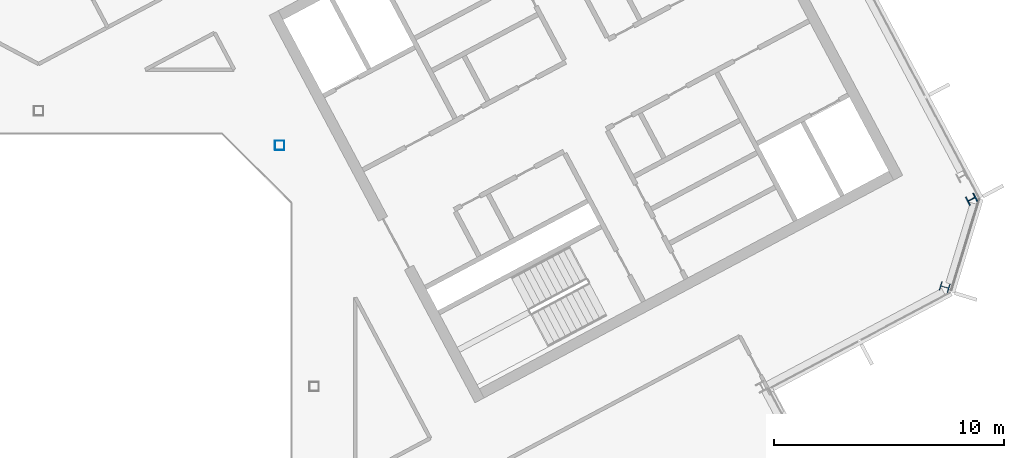
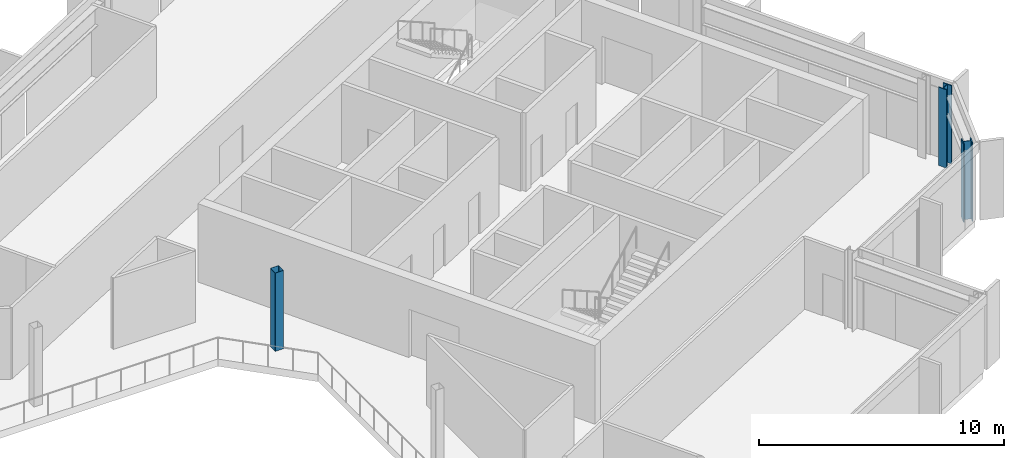
# One storey, part 6 of 26: 3 columns.
"""IFC4 building model written with IfcOpenShell, lengths in metres."""

from ifc_helpers import new_model, si_unit, direction, frame, origin, origin_2d, place, context, subcontext, project, spatial, hollow_rectangle, i_section, extrude, material, material_profile, profile_set, type_object, element, save


model = new_model("IFC4")

# Units and contexts
model_context = context("Model", 3, precision=1e-05, world=origin(), true_north=direction((0.0, 1.0)))
body_context = subcontext(model_context, "Body", "Model", "MODEL_VIEW")
ifc_project = project(units=[si_unit("LENGTHUNIT", "METRE"), si_unit("AREAUNIT", "SQUARE_METRE"), si_unit("VOLUMEUNIT", "CUBIC_METRE"), si_unit("PLANEANGLEUNIT", "RADIAN"), si_unit("MASSUNIT", "GRAM", prefix="KILO")], contexts=[model_context])

# Site, building, storey
site_placement = place(None, origin())
site = spatial("IfcSite", under=ifc_project, at=site_placement, CompositionType="ELEMENT")
building_placement = place(site_placement, origin())
building = spatial("IfcBuilding", under=site, at=building_placement, Name="Cormorant Relay Tower", CompositionType="ELEMENT")
storey_placement = place(building_placement, frame((0.0, 0.0, 304.800048828125)))
storey = spatial("IfcBuildingStorey", under=building, at=storey_placement, Name="L69", CompositionType="ELEMENT", Elevation=304.800048828125)

# Columns
ifc_material_1 = material(Name="Steel ASTM A500 Grade C (Fy 345 MPa)", Category="steel")
ifc_material_profile_1 = material_profile(ifc_material_1, hollow_rectangle(XDim=0.406494140625, YDim=0.406494140625, WallThickness=0.0087890625, InnerFilletRadius=0.00439453125, OuterFilletRadius=0.01318359375, at=origin_2d()), Name="HSS406x406x9")
ifc_profile_set_1 = profile_set([ifc_material_profile_1], Name="Steel ASTM A500 Grade C (Fy 345 MPa)")
column_type_1 = type_object("IfcColumnType", Name="Column HSS406x406x9", PredefinedType="COLUMN", material=ifc_profile_set_1)
column_placement = place(storey_placement, frame((10.5, 10.5, 0.0), z_axis=(0.0, 0.0, 1.0), x_axis=(1.0, 0.0, 0.0)))
element("IfcColumn", 1, at=column_placement, inside=storey, type_object=column_type_1, Name="Column L69-024", PredefinedType="COLUMN", context=body_context, shape_type="SweptSolid", body=[
    extrude(hollow_rectangle(XDim=0.406494140625, YDim=0.406494140625, WallThickness=0.0087890625, InnerFilletRadius=0.00439453125, OuterFilletRadius=0.01318359375, at=origin_2d()), origin(), (0.0, 0.0, 1.0), 3.89990234375),
])
ifc_material_2 = material(Name="Steel ASTM A992 (Fy 345 MPa)", Category="steel")
ifc_material_profile_2 = material_profile(ifc_material_2, i_section(OverallWidth=0.40380859375, OverallDepth=0.406494140625, WebThickness=0.027099609375, FlangeThickness=0.043701171875, FilletRadius=0.01513671875, at=origin_2d()), Name="W360x347")
ifc_profile_set_2 = profile_set([ifc_material_profile_2], Name="Steel ASTM A992 (Fy 345 MPa)")
column_type_2 = type_object("IfcColumnType", Name="Column W360x347", PredefinedType="COLUMN", material=ifc_profile_set_2)
for number, where, z_axis, x_axis, name in (
    (2, (39.464111328125, 4.330078125, 0.0), (0.0, 0.0, 1.0), (0.292371704723, 0.956304755963, 0.0), "Column L69-019"),
    (3, (40.633056640625, 8.153076171875, 0.0), (0.0, 0.0, 1.0), (-0.469471562786, 0.882947592859, 0.0), "Column L69-020"),
):
    element("IfcColumn", number, at=place(storey_placement, frame(where, z_axis=z_axis, x_axis=x_axis)), inside=storey, type_object=column_type_2, Name=name, PredefinedType="COLUMN", context=body_context, shape_type="SweptSolid", body=[
        extrude(i_section(OverallWidth=0.40380859375, OverallDepth=0.406494140625, WebThickness=0.027099609375, FlangeThickness=0.043701171875, FilletRadius=0.01513671875, at=origin_2d()), origin(), (0.0, 0.0, 1.0), 3.89990234375),
    ])

save(model, "model.ifc")
